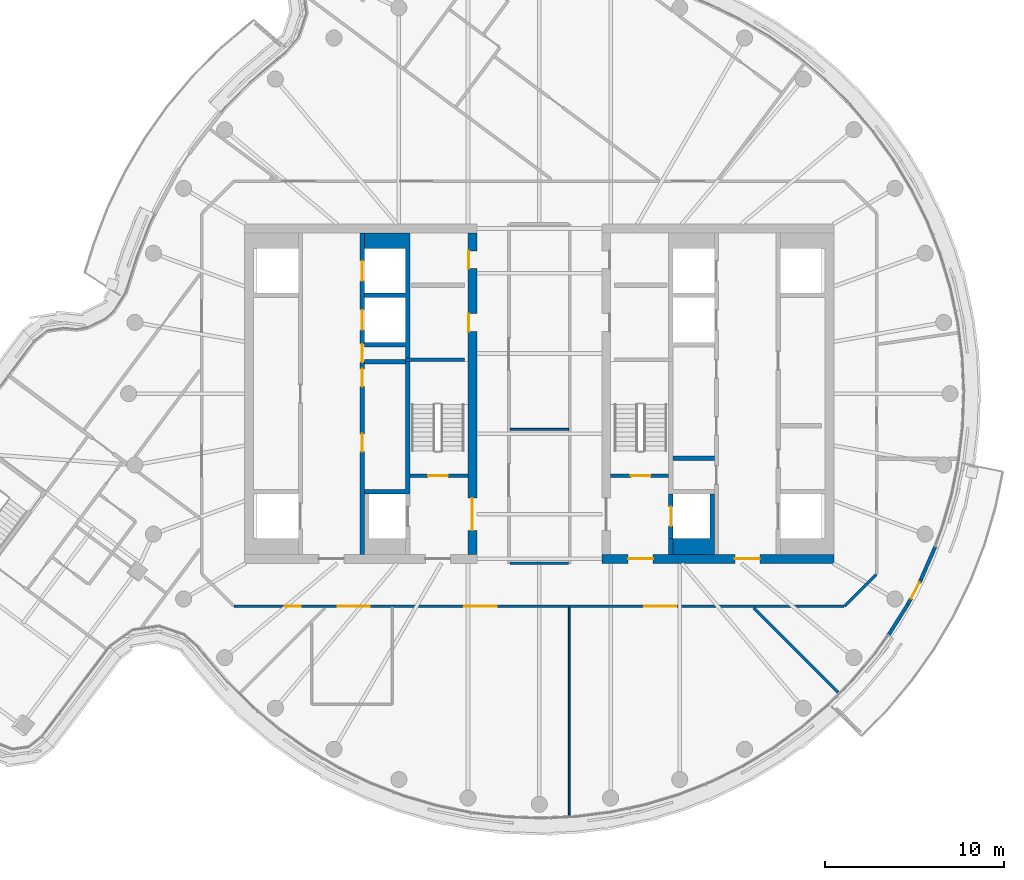
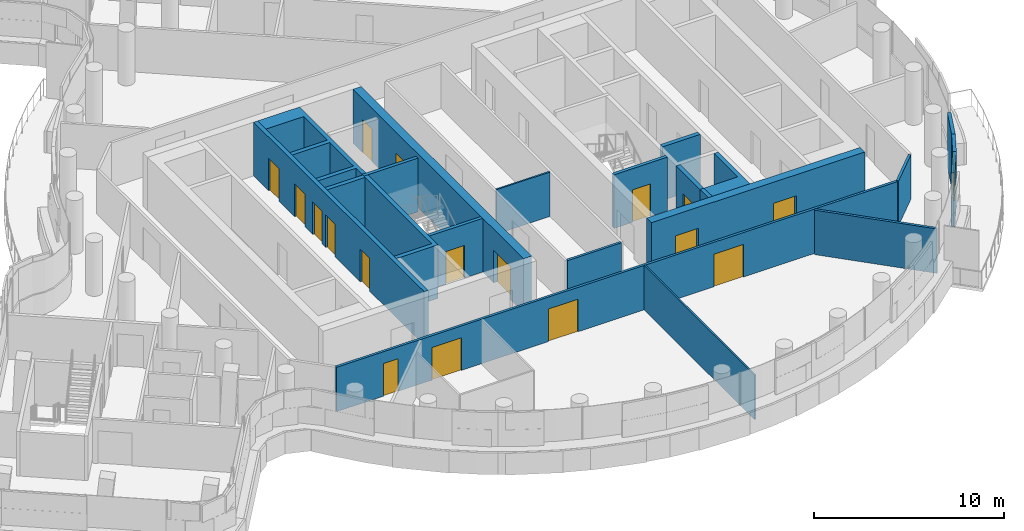
# One storey, part 18 of 27: 21 walls, 18 doors, 18 openings.
"""IFC4 building model written with IfcOpenShell, lengths in metres."""

from ifc_helpers import new_model, si_unit, direction, frame, frame_2d, origin, place, context, subcontext, project, spatial, polyline, rectangle, outline, extrude, material, layer, layer_set, type_object, element, fill, save


model = new_model("IFC4")

# Units and contexts
model_context = context("Model", 3, precision=1e-05, world=origin(), true_north=direction((0.0, 1.0)))
body_context = subcontext(model_context, "Body", "Model", "MODEL_VIEW")
ifc_project = project(units=[si_unit("LENGTHUNIT", "METRE"), si_unit("AREAUNIT", "SQUARE_METRE"), si_unit("VOLUMEUNIT", "CUBIC_METRE"), si_unit("PLANEANGLEUNIT", "RADIAN"), si_unit("MASSUNIT", "GRAM", prefix="KILO")], contexts=[model_context])

# Site, building, storey
site_placement = place(None, origin())
site = spatial("IfcSite", under=ifc_project, at=site_placement, CompositionType="ELEMENT")
building_placement = place(site_placement, origin())
building = spatial("IfcBuilding", under=site, at=building_placement, Name="Tamarind Cross Interchange Tower", CompositionType="ELEMENT")
storey_placement = place(building_placement, frame((0.0, 0.0, 227.10009765625)))
storey = spatial("IfcBuildingStorey", under=building, at=storey_placement, Name="L57", CompositionType="ELEMENT", Elevation=227.10009765625)

# Walls
ifc_material_1 = material(Name="Concrete C40", Category="concrete")
ifc_layer_1 = layer(ifc_material_1, 0.199951171875)
ifc_layer_set_1 = layer_set([ifc_layer_1], Name="Concrete C40")
wall_type_1 = type_object("IfcWallType", Name="Balcony and garden door wall", PredefinedType="SOLIDWALL", material=ifc_layer_set_1)
wall_1_placement = place(storey_placement, frame((19.571533203125, -13.501953125, 0.0), z_axis=(0.0, 0.0, 1.0), x_axis=(0.533079765086, 0.846064988081, 0.0)))
element("IfcWall", 1, at=wall_1_placement, inside=storey, type_object=wall_type_1, Name="EXW-L57-02-D11L", PredefinedType="SOLIDWALL", context=body_context, shape_type="SweptSolid", body=[
    extrude(rectangle(XDim=1.9921875, YDim=0.199951171875, at=frame_2d((0.99609375, 0.0))), origin(), (0.0, 0.0, 1.0), 3.4599609375),
])
wall_2_placement = place(storey_placement, frame((21.379150390625, -10.40234375, 0.0), z_axis=(0.0, 0.0, 1.0), x_axis=(0.399429605242, 0.916763868429, 0.0)))
element("IfcWall", 2, at=wall_2_placement, inside=storey, type_object=wall_type_1, Name="EXW-L57-02-D11R", PredefinedType="SOLIDWALL", context=body_context, shape_type="SweptSolid", body=[
    extrude(rectangle(XDim=1.991943359375, YDim=0.199951171875, at=frame_2d((0.99609375, 0.0))), origin(), (0.0, 0.0, 1.0), 3.4599609375),
])

# Wall, opening, door
wall_3_placement = place(storey_placement, frame((20.633544921875, -11.81640625, 0.0), z_axis=(0.0, 0.0, 1.0), x_axis=(0.4664135075, 0.884566809247, 0.0)))
wall_3 = element("IfcWall", 3, at=wall_3_placement, inside=storey, type_object=wall_type_1, Name="EXW-L57-02-D11", PredefinedType="SOLIDWALL", context=body_context, shape_type="SweptSolid", body=[
    extrude(rectangle(XDim=1.5986328125, YDim=0.199951171875, at=frame_2d((0.79931640625, 0.0))), origin(), (0.0, 0.0, 1.0), 3.4599609375),
])
opening_1_placement = place(wall_3_placement, frame((0.39990234375, 0.0, 0.0)))
opening_1 = element("IfcOpeningElement", 4, at=opening_1_placement, cuts=wall_3, Name="Opening D2", PredefinedType="OPENING", context=body_context, shape_type="SweptSolid", body=[
    extrude(rectangle(XDim=1.0, YDim=2.39990234375, at=frame_2d((0.5, 1.199951171875))), frame((0.0, 0.10986328125, 0.0), z_axis=(0.0, -1.0, 0.0), x_axis=(1.0, 0.0, 0.0)), (0.0, 0.0, 1.0), 0.219970703125),
])
ifc_material_2 = material(Name="Aluminium and toughened glass", Category="aluminium")
door_type_1 = type_object("IfcDoorType", Name="Balcony and garden door", OperationType="SINGLE_SWING_LEFT", PredefinedType="DOOR", material=ifc_material_2)
door_1_placement = place(opening_1_placement, origin())
door_1 = element("IfcDoor", 5, at=door_1_placement, inside=storey, type_object=door_type_1, Name="DOR-L57-02-11", OperationType="SINGLE_SWING_LEFT", OverallHeight=2.39990234375, OverallWidth=1.0, PredefinedType="DOOR", context=body_context, shape_type="SweptSolid", body=[
    extrude(rectangle(XDim=1.0, YDim=2.39990234375, at=frame_2d((0.5, 1.199951171875))), frame((0.0, 0.02490234375, 0.0), z_axis=(0.0, -1.0, 0.0), x_axis=(1.0, 0.0, 0.0)), (0.0, 0.0, 1.0), 0.050048828125),
])
fill(opening_1, door_1)

# Wall, openings, doors
ifc_material_3 = material(Name="Concrete C50", Category="concrete")
ifc_layer_2 = layer(ifc_material_3, 0.5)
ifc_layer_set_2 = layer_set([ifc_layer_2], Name="Concrete C50")
wall_type_2 = type_object("IfcWallType", Name="Core wall 500 mm Concrete C50", PredefinedType="SHEAR", material=ifc_layer_set_2)
wall_4_placement = place(storey_placement, frame((-3.75, -9.0, 0.0), z_axis=(0.0, 0.0, 1.0), x_axis=(0.0, 1.0, 0.0)))
wall_4 = element("IfcWall", 6, at=wall_4_placement, inside=storey, type_object=wall_type_2, Name="Core wall CWL-L57-W-IN", PredefinedType="SHEAR", context=body_context, shape_type="SweptSolid", body=[
    extrude(rectangle(XDim=18.0, YDim=0.5, at=frame_2d((9.0, 0.0))), origin(), (0.0, 0.0, 1.0), 3.4599609375),
])
opening_2_placement = place(wall_4_placement, frame((1.35009765625, 0.0, 0.0)))
opening_2 = element("IfcOpeningElement", 7, at=opening_2_placement, cuts=wall_4, Name="Opening DCW4", PredefinedType="OPENING", context=body_context, shape_type="SweptSolid", body=[
    extrude(rectangle(XDim=1.800048828125, YDim=2.10009765625, at=frame_2d((0.89990234375, 1.050048828125))), frame((0.0, 0.260009765625, 0.0), z_axis=(0.0, -1.0, 0.0), x_axis=(1.0, 0.0, 0.0)), (0.0, 0.0, 1.0), 0.52001953125),
])
opening_3_placement = place(wall_4_placement, frame((12.4775390625, 0.0, 0.0)))
opening_3 = element("IfcOpeningElement", 8, at=opening_3_placement, cuts=wall_4, Name="Opening DCW5", PredefinedType="OPENING", context=body_context, shape_type="SweptSolid", body=[
    extrude(rectangle(XDim=1.0, YDim=2.10009765625, at=frame_2d((0.5, 1.050048828125))), frame((0.0, 0.260009765625, 0.0), z_axis=(0.0, -1.0, 0.0), x_axis=(1.0, 0.0, 0.0)), (0.0, 0.0, 1.0), 0.52001953125),
])
opening_4_placement = place(wall_4_placement, frame((16.00244140625, 0.0, 0.0)))
opening_4 = element("IfcOpeningElement", 9, at=opening_4_placement, cuts=wall_4, Name="Opening DCW5", PredefinedType="OPENING", context=body_context, shape_type="SweptSolid", body=[
    extrude(rectangle(XDim=1.0, YDim=2.10009765625, at=frame_2d((0.5, 1.050048828125))), frame((0.0, 0.260009765625, 0.0), z_axis=(0.0, -1.0, 0.0), x_axis=(1.0, 0.0, 0.0)), (0.0, 0.0, 1.0), 0.52001953125),
])
ifc_material_4 = material(Name="Steel, fire-resisting", Category="steel")
door_type_2 = type_object("IfcDoorType", Name="Core fire door 1000 x 2100 FD90", OperationType="SINGLE_SWING_LEFT", PredefinedType="DOOR", material=ifc_material_4)
door_2_placement = place(opening_3_placement, origin())
door_2 = element("IfcDoor", 10, at=door_2_placement, inside=storey, type_object=door_type_2, Name="L57 housekeeping pantry door", OperationType="SINGLE_SWING_LEFT", OverallHeight=2.10009765625, OverallWidth=1.0, PredefinedType="DOOR", context=body_context, shape_type="SweptSolid", body=[
    extrude(rectangle(XDim=1.0, YDim=2.10009765625, at=frame_2d((0.5, 1.050048828125))), frame((0.0, 0.22509765625, 0.0), z_axis=(0.0, -1.0, 0.0), x_axis=(1.0, 0.0, 0.0)), (0.0, 0.0, 1.0), 0.050048828125),
])
fill(opening_3, door_2)
door_3_placement = place(opening_4_placement, origin())
door_3 = element("IfcDoor", 11, at=door_3_placement, inside=storey, type_object=door_type_2, Name="L57 linen press door", OperationType="SINGLE_SWING_LEFT", OverallHeight=2.10009765625, OverallWidth=1.0, PredefinedType="DOOR", context=body_context, shape_type="SweptSolid", body=[
    extrude(rectangle(XDim=1.0, YDim=2.10009765625, at=frame_2d((0.5, 1.050048828125))), frame((0.0, 0.22509765625, 0.0), z_axis=(0.0, -1.0, 0.0), x_axis=(1.0, 0.0, 0.0)), (0.0, 0.0, 1.0), 0.050048828125),
])
fill(opening_4, door_3)
door_type_3 = type_object("IfcDoorType", Name="Core fire door 1800 x 2100 FD90", OperationType="SINGLE_SWING_LEFT", PredefinedType="DOOR", material=ifc_material_4)
door_4_placement = place(opening_2_placement, origin())
door_4 = element("IfcDoor", 12, at=door_4_placement, inside=storey, type_object=door_type_3, Name="L57 firefighting lobby door", OperationType="SINGLE_SWING_LEFT", OverallHeight=2.10009765625, OverallWidth=1.800048828125, PredefinedType="DOOR", context=body_context, shape_type="SweptSolid", body=[
    extrude(rectangle(XDim=1.800048828125, YDim=2.10009765625, at=frame_2d((0.89990234375, 1.050048828125))), frame((0.0, 0.02490234375, 0.0), z_axis=(0.0, -1.0, 0.0), x_axis=(1.0, 0.0, 0.0)), (0.0, 0.0, 1.0), 0.050048828125),
])
fill(opening_2, door_4)

wall_5_placement = place(storey_placement, frame((16.5, -9.25, 0.0), z_axis=(0.0, 0.0, 1.0), x_axis=(-1.0, 0.0, 0.0)))
wall_5 = element("IfcWall", 13, at=wall_5_placement, inside=storey, type_object=wall_type_2, Name="Core wall CWL-L57-E-S", PredefinedType="SHEAR", context=body_context, shape_type="SweptSolid", body=[
    extrude(rectangle(XDim=13.0, YDim=0.5, at=frame_2d((6.5, 0.0))), origin(), (0.0, 0.0, 1.0), 3.4599609375),
])
opening_5_placement = place(wall_5_placement, frame((4.14990234375, 0.0, 0.0)))
opening_5 = element("IfcOpeningElement", 14, at=opening_5_placement, cuts=wall_5, Name="Opening DCE1", PredefinedType="OPENING", context=body_context, shape_type="SweptSolid", body=[
    extrude(rectangle(XDim=1.39990234375, YDim=2.10009765625, at=frame_2d((0.699951171875, 1.050048828125))), frame((0.0, 0.260009765625, 0.0), z_axis=(0.0, -1.0, 0.0), x_axis=(1.0, 0.0, 0.0)), (0.0, 0.0, 1.0), 0.52001953125),
])
opening_6_placement = place(wall_5_placement, frame((10.125, 0.0, 0.0)))
opening_6 = element("IfcOpeningElement", 15, at=opening_6_placement, cuts=wall_5, Name="Opening DCEF", PredefinedType="OPENING", context=body_context, shape_type="SweptSolid", body=[
    extrude(rectangle(XDim=1.39990234375, YDim=2.10009765625, at=frame_2d((0.699951171875, 1.050048828125))), frame((0.0, 0.260009765625, 0.0), z_axis=(0.0, -1.0, 0.0), x_axis=(1.0, 0.0, 0.0)), (0.0, 0.0, 1.0), 0.52001953125),
])
door_type_4 = type_object("IfcDoorType", Name="Core fire door 1400 x 2100 FD90", OperationType="SINGLE_SWING_LEFT", PredefinedType="DOOR", material=ifc_material_4)
door_5_placement = place(opening_5_placement, origin())
door_5 = element("IfcDoor", 16, at=door_5_placement, inside=storey, type_object=door_type_4, Name="L57 lift lobby door", OperationType="SINGLE_SWING_LEFT", OverallHeight=2.10009765625, OverallWidth=1.39990234375, PredefinedType="DOOR", context=body_context, shape_type="SweptSolid", body=[
    extrude(rectangle(XDim=1.39990234375, YDim=2.10009765625, at=frame_2d((0.699951171875, 1.050048828125))), frame((0.0, 0.02490234375, 0.0), z_axis=(0.0, -1.0, 0.0), x_axis=(1.0, 0.0, 0.0)), (0.0, 0.0, 1.0), 0.050048828125),
])
fill(opening_5, door_5)
door_6_placement = place(opening_6_placement, origin())
door_6 = element("IfcDoor", 17, at=door_6_placement, inside=storey, type_object=door_type_4, Name="L57 firefighting lobby end door", OperationType="SINGLE_SWING_LEFT", OverallHeight=2.10009765625, OverallWidth=1.39990234375, PredefinedType="DOOR", context=body_context, shape_type="SweptSolid", body=[
    extrude(rectangle(XDim=1.39990234375, YDim=2.10009765625, at=frame_2d((0.699951171875, 1.050048828125))), frame((0.0, 0.02490234375, 0.0), z_axis=(0.0, -1.0, 0.0), x_axis=(1.0, 0.0, 0.0)), (0.0, 0.0, 1.0), 0.050048828125),
])
fill(opening_6, door_6)

# Walls
ifc_layer_3 = layer(ifc_material_3, 0.199951171875)
ifc_layer_set_3 = layer_set([ifc_layer_3], Name="Concrete C50")
wall_type_3 = type_object("IfcWallType", Name="Core web wall 200 mm Concrete C50", PredefinedType="SHEAR", material=ifc_layer_set_3)
wall_6_placement = place(storey_placement, frame((-7.5, 1.89990234375, 0.0), z_axis=(0.0, 0.0, 1.0), x_axis=(1.0, 0.0, 0.0)))
element("IfcWall", 18, at=wall_6_placement, inside=storey, type_object=wall_type_3, Name="Core wall CWL-L57-W-BD", PredefinedType="SHEAR", context=body_context, shape_type="SweptSolid", body=[
    extrude(rectangle(XDim=3.300048828125, YDim=0.199951171875, at=frame_2d((1.64990234375, 0.0))), origin(), (0.0, 0.0, 1.0), 3.4599609375),
])
ifc_layer_4 = layer(ifc_material_3, 0.25)
ifc_layer_set_4 = layer_set([ifc_layer_4], Name="Concrete C50")
wall_type_4 = type_object("IfcWallType", Name="Core web wall 250 mm Concrete C50", PredefinedType="SHEAR", material=ifc_layer_set_4)
wall_7_placement = place(storey_placement, origin())
element("IfcWall", 19, at=wall_7_placement, inside=storey, type_object=wall_type_4, Name="Core wall CWL-L57-W-BN", PredefinedType="SHEAR", context=body_context, shape_type="SweptSolid", body=[
    extrude(outline(polyline([(-9.800048828125, -5.375), (-9.800048828125, -5.625), (-7.5, -5.625), (-7.25, -5.625), (-7.25, 9.0), (-7.5, 9.0), (-9.800048828125, 9.0), (-9.800048828125, 8.125), (-7.5, 8.125), (-7.5, 5.625), (-9.800048828125, 5.625), (-9.800048828125, 5.375), (-7.5, 5.375), (-7.5, 2.875), (-9.800048828125, 2.875), (-9.800048828125, 2.625), (-7.5, 2.625), (-7.5, -5.375), (-9.800048828125, -5.375)])), origin(), (0.0, 0.0, 1.0), 3.4599609375),
])

# Wall, openings, doors
wall_8_placement = place(storey_placement, frame((-9.925048828125, -9.0, 0.0), z_axis=(0.0, 0.0, 1.0), x_axis=(0.0, 1.0, 0.0)))
wall_8 = element("IfcWall", 20, at=wall_8_placement, inside=storey, type_object=wall_type_4, Name="Core wall CWL-L57-W-LB", PredefinedType="SHEAR", context=body_context, shape_type="SweptSolid", body=[
    extrude(rectangle(XDim=18.0, YDim=0.25, at=frame_2d((9.0, 0.0))), origin(), (0.0, 0.0, 1.0), 3.4599609375),
])
opening_7_placement = place(wall_8_placement, frame((12.574951171875, 0.0, 0.0)))
opening_7 = element("IfcOpeningElement", 21, at=opening_7_placement, cuts=wall_8, Name="Opening LD11L57", PredefinedType="OPENING", context=body_context, shape_type="SweptSolid", body=[
    extrude(rectangle(XDim=1.10009765625, YDim=2.10009765625, at=frame_2d((0.550048828125, 1.050048828125))), frame((0.0, 0.135009765625, 0.0), z_axis=(0.0, -1.0, 0.0), x_axis=(1.0, 0.0, 0.0)), (0.0, 0.0, 1.0), 0.27001953125),
])
opening_8_placement = place(wall_8_placement, frame((15.324951171875, 0.0, 0.0)))
opening_8 = element("IfcOpeningElement", 22, at=opening_8_placement, cuts=wall_8, Name="Opening LD12L57", PredefinedType="OPENING", context=body_context, shape_type="SweptSolid", body=[
    extrude(rectangle(XDim=1.10009765625, YDim=2.10009765625, at=frame_2d((0.550048828125, 1.050048828125))), frame((0.0, 0.135009765625, 0.0), z_axis=(0.0, -1.0, 0.0), x_axis=(1.0, 0.0, 0.0)), (0.0, 0.0, 1.0), 0.27001953125),
])
opening_9_placement = place(wall_8_placement, frame((5.75, 0.0, 0.0)))
opening_9 = element("IfcOpeningElement", 23, at=opening_9_placement, cuts=wall_8, Name="Opening DCW21", PredefinedType="OPENING", context=body_context, shape_type="SweptSolid", body=[
    extrude(rectangle(XDim=1.0, YDim=2.10009765625, at=frame_2d((0.5, 1.050048828125))), frame((0.0, 0.135009765625, 0.0), z_axis=(0.0, -1.0, 0.0), x_axis=(1.0, 0.0, 0.0)), (0.0, 0.0, 1.0), 0.27001953125),
])
opening_10_placement = place(wall_8_placement, frame((9.39599609375, 0.0, 0.0)))
opening_10 = element("IfcOpeningElement", 24, at=opening_10_placement, cuts=wall_8, Name="Opening DCW21", PredefinedType="OPENING", context=body_context, shape_type="SweptSolid", body=[
    extrude(rectangle(XDim=1.0, YDim=2.10009765625, at=frame_2d((0.5, 1.050048828125))), frame((0.0, 0.135009765625, 0.0), z_axis=(0.0, -1.0, 0.0), x_axis=(1.0, 0.0, 0.0)), (0.0, 0.0, 1.0), 0.27001953125),
])
opening_11_placement = place(wall_8_placement, frame((10.77099609375, 0.0, 0.0)))
opening_11 = element("IfcOpeningElement", 25, at=opening_11_placement, cuts=wall_8, Name="Opening DCW22", PredefinedType="OPENING", context=body_context, shape_type="SweptSolid", body=[
    extrude(rectangle(XDim=1.0, YDim=2.10009765625, at=frame_2d((0.5, 1.050048828125))), frame((0.0, 0.135009765625, 0.0), z_axis=(0.0, -1.0, 0.0), x_axis=(1.0, 0.0, 0.0)), (0.0, 0.0, 1.0), 0.27001953125),
])
door_7_placement = place(opening_9_placement, origin())
door_7 = element("IfcDoor", 26, at=door_7_placement, inside=storey, type_object=door_type_2, Name="L57 Housekeeping pantry door", OperationType="SINGLE_SWING_LEFT", OverallHeight=2.10009765625, OverallWidth=1.0, PredefinedType="DOOR", context=body_context, shape_type="SweptSolid", body=[
    extrude(rectangle(XDim=1.0, YDim=2.10009765625, at=frame_2d((0.5, 1.050048828125))), frame((0.0, 0.02490234375, 0.0), z_axis=(0.0, -1.0, 0.0), x_axis=(1.0, 0.0, 0.0)), (0.0, 0.0, 1.0), 0.050048828125),
])
fill(opening_9, door_7)
door_8_placement = place(opening_10_placement, origin())
door_8 = element("IfcDoor", 27, at=door_8_placement, inside=storey, type_object=door_type_2, Name="L57 Housekeeping pantry door", OperationType="SINGLE_SWING_LEFT", OverallHeight=2.10009765625, OverallWidth=1.0, PredefinedType="DOOR", context=body_context, shape_type="SweptSolid", body=[
    extrude(rectangle(XDim=1.0, YDim=2.10009765625, at=frame_2d((0.5, 1.050048828125))), frame((0.0, 0.02490234375, 0.0), z_axis=(0.0, -1.0, 0.0), x_axis=(1.0, 0.0, 0.0)), (0.0, 0.0, 1.0), 0.050048828125),
])
fill(opening_10, door_8)
door_9_placement = place(opening_11_placement, origin())
door_9 = element("IfcDoor", 28, at=door_9_placement, inside=storey, type_object=door_type_2, Name="L57 Linen press door", OperationType="SINGLE_SWING_LEFT", OverallHeight=2.10009765625, OverallWidth=1.0, PredefinedType="DOOR", context=body_context, shape_type="SweptSolid", body=[
    extrude(rectangle(XDim=1.0, YDim=2.10009765625, at=frame_2d((0.5, 1.050048828125))), frame((0.0, 0.02490234375, 0.0), z_axis=(0.0, -1.0, 0.0), x_axis=(1.0, 0.0, 0.0)), (0.0, 0.0, 1.0), 0.050048828125),
])
fill(opening_11, door_9)
ifc_material_5 = material(Name="Stainless steel panel", Category="steel")
door_type_5 = type_object("IfcDoorType", Name="Lift landing door 1100 x 2100 E 120", OperationType="SLIDING_TO_LEFT", PredefinedType="DOOR", material=ifc_material_5)
door_10_placement = place(opening_7_placement, origin())
door_10 = element("IfcDoor", 29, at=door_10_placement, inside=storey, type_object=door_type_5, Name="L57 landing door LF11", OperationType="SLIDING_TO_LEFT", OverallHeight=2.10009765625, OverallWidth=1.10009765625, PredefinedType="DOOR", context=body_context, shape_type="SweptSolid", body=[
    extrude(rectangle(XDim=1.10009765625, YDim=2.10009765625, at=frame_2d((0.550048828125, 1.050048828125))), frame((0.0, 0.02490234375, 0.0), z_axis=(0.0, -1.0, 0.0), x_axis=(1.0, 0.0, 0.0)), (0.0, 0.0, 1.0), 0.050048828125),
])
fill(opening_7, door_10)
door_11_placement = place(opening_8_placement, origin())
door_11 = element("IfcDoor", 30, at=door_11_placement, inside=storey, type_object=door_type_5, Name="L57 landing door LF12", OperationType="SLIDING_TO_LEFT", OverallHeight=2.10009765625, OverallWidth=1.10009765625, PredefinedType="DOOR", context=body_context, shape_type="SweptSolid", body=[
    extrude(rectangle(XDim=1.10009765625, YDim=2.10009765625, at=frame_2d((0.550048828125, 1.050048828125))), frame((0.0, 0.02490234375, 0.0), z_axis=(0.0, -1.0, 0.0), x_axis=(1.0, 0.0, 0.0)), (0.0, 0.0, 1.0), 0.050048828125),
])
fill(opening_8, door_11)

# Walls
wall_9_placement = place(storey_placement, origin())
element("IfcWall", 31, at=wall_9_placement, inside=storey, type_object=wall_type_4, Name="Core wall CWL-L57-E-BS", PredefinedType="SHEAR", context=body_context, shape_type="SweptSolid", body=[
    extrude(outline(polyline([(7.5, -8.125), (7.5, -9.0), (9.800048828125, -9.0), (9.800048828125, -8.125), (9.800048828125, -5.625), (9.550048828125, -5.625), (9.550048828125, -8.125), (7.5, -8.125)])), origin(), (0.0, 0.0, 1.0), 3.4599609375),
])
wall_10_placement = place(storey_placement, frame((7.375, -9.0, 0.0), z_axis=(0.0, 0.0, 1.0), x_axis=(0.0, 1.0, 0.0)))
element("IfcWall", 32, at=wall_10_placement, inside=storey, type_object=wall_type_4, Name="Core wall CWL-L57-E-BW", PredefinedType="SHEAR", context=body_context, shape_type="SweptSolid", body=[
    extrude(rectangle(XDim=0.875, YDim=0.25, at=frame_2d((0.4375, 0.0))), origin(), (0.0, 0.0, 1.0), 3.4599609375),
])

# Wall, opening, door
wall_11_placement = place(storey_placement, frame((7.375, -8.125, 0.0), z_axis=(0.0, 0.0, 1.0), x_axis=(0.0, 1.0, 0.0)))
wall_11 = element("IfcWall", 33, at=wall_11_placement, inside=storey, type_object=wall_type_4, Name="Core wall CWL-L57-E-FF", PredefinedType="SHEAR", context=body_context, shape_type="SweptSolid", body=[
    extrude(rectangle(XDim=2.5, YDim=0.25, at=frame_2d((1.25, 0.0))), origin(), (0.0, 0.0, 1.0), 3.4599609375),
])
opening_12_placement = place(wall_11_placement, frame((0.699951171875, 0.0, 0.0)))
opening_12 = element("IfcOpeningElement", 34, at=opening_12_placement, cuts=wall_11, Name="Opening LD19L57", PredefinedType="OPENING", context=body_context, shape_type="SweptSolid", body=[
    extrude(rectangle(XDim=1.10009765625, YDim=2.10009765625, at=frame_2d((0.550048828125, 1.050048828125))), frame((0.0, 0.135009765625, 0.0), z_axis=(0.0, -1.0, 0.0), x_axis=(1.0, 0.0, 0.0)), (0.0, 0.0, 1.0), 0.27001953125),
])
door_12_placement = place(opening_12_placement, origin())
door_12 = element("IfcDoor", 35, at=door_12_placement, inside=storey, type_object=door_type_5, Name="L57 landing door LF19", OperationType="SLIDING_TO_LEFT", OverallHeight=2.10009765625, OverallWidth=1.10009765625, PredefinedType="DOOR", context=body_context, shape_type="SweptSolid", body=[
    extrude(rectangle(XDim=1.10009765625, YDim=2.10009765625, at=frame_2d((0.550048828125, 1.050048828125))), frame((0.0, 0.02490234375, 0.0), z_axis=(0.0, -1.0, 0.0), x_axis=(1.0, 0.0, 0.0)), (0.0, 0.0, 1.0), 0.050048828125),
])
fill(opening_12, door_12)

# Walls
ifc_material_6 = material(Name="Gypsum board partition on steel studs", Category="steel")
ifc_layer_5 = layer(ifc_material_6, 0.10009765625)
ifc_layer_set_5 = layer_set([ifc_layer_5], Name="Gypsum board partition on steel studs")
wall_type_5 = type_object("IfcWallType", Name="Partition 100 mm EI 120", PredefinedType="PARTITIONING", material=ifc_layer_set_5)
wall_12_placement = place(storey_placement, frame((-1.639892578125, -2.0, 0.0), z_axis=(0.0, 0.0, 1.0), x_axis=(1.0, 0.0, 0.0)))
element("IfcWall", 36, at=wall_12_placement, inside=storey, type_object=wall_type_5, Name="Partition L57-030", PredefinedType="PARTITIONING", context=body_context, shape_type="SweptSolid", body=[
    extrude(rectangle(XDim=3.27978515625, YDim=0.10009765625, at=frame_2d((1.639892578125, 0.0))), origin(), (0.0, 0.0, 1.0), 2.864013671875),
])
ifc_layer_6 = layer(ifc_material_6, 0.10009765625)
ifc_layer_set_6 = layer_set([ifc_layer_6], Name="Gypsum board partition on steel studs")
wall_type_6 = type_object("IfcWallType", Name="Partition 100 mm EI 90", PredefinedType="PARTITIONING", material=ifc_layer_set_6)
wall_13_placement = place(storey_placement, frame((1.674072265625, -23.622802734375, 0.0), z_axis=(0.0, 0.0, 1.0), x_axis=(0.0, 1.0, 0.0)))
element("IfcWall", 37, at=wall_13_placement, inside=storey, type_object=wall_type_6, Name="Partition L57-062", PredefinedType="PARTITIONING", context=body_context, shape_type="SweptSolid", body=[
    extrude(rectangle(XDim=11.667724609375, YDim=0.10009765625, at=frame_2d((5.833984375, 0.0))), origin(), (0.0, 0.0, 1.0), 2.864013671875),
])
ifc_layer_7 = layer(ifc_material_6, 0.14990234375)
ifc_layer_set_7 = layer_set([ifc_layer_7], Name="Gypsum board partition on steel studs")
wall_type_7 = type_object("IfcWallType", Name="Partition 150 mm EI 120", PredefinedType="PARTITIONING", material=ifc_layer_set_7)
wall_14_placement = place(storey_placement, frame((12.009521484375, -12.009521484375, 0.0), z_axis=(0.0, 0.0, 1.0), x_axis=(0.707106781187, -0.707106781187, 0.0)))
element("IfcWall", 38, at=wall_14_placement, inside=storey, type_object=wall_type_7, Name="Partition L57-002", PredefinedType="PARTITIONING", context=body_context, shape_type="SweptSolid", body=[
    extrude(rectangle(XDim=6.690673828125, YDim=0.14990234375, at=frame_2d((3.34521484375, 0.0))), origin(), (0.0, 0.0, 1.0), 2.864013671875),
])

# Wall, openings, doors
wall_15_placement = place(storey_placement, frame((-17.10009765625, -11.89990234375, 0.0), z_axis=(0.0, 0.0, 1.0), x_axis=(1.0, 0.0, 0.0)))
wall_15 = element("IfcWall", 39, at=wall_15_placement, inside=storey, type_object=wall_type_7, Name="Partition L57-026", PredefinedType="PARTITIONING", context=body_context, shape_type="SweptSolid", body=[
    extrude(rectangle(XDim=34.1650390625, YDim=0.14990234375, at=frame_2d((17.08251953125, 0.0))), origin(), (0.0, 0.0, 1.0), 2.864013671875),
])
opening_13_placement = place(wall_15_placement, frame((5.800048828125, 0.0, 0.0)))
opening_13 = element("IfcOpeningElement", 40, at=opening_13_placement, cuts=wall_15, Name="Opening D15", PredefinedType="OPENING", context=body_context, shape_type="SweptSolid", body=[
    extrude(rectangle(XDim=1.800048828125, YDim=2.10009765625, at=frame_2d((0.89990234375, 1.050048828125))), frame((0.0, 0.0849609375, 0.0), z_axis=(0.0, -1.0, 0.0), x_axis=(1.0, 0.0, 0.0)), (0.0, 0.0, 1.0), 0.169921875),
])
opening_14_placement = place(wall_15_placement, frame((12.908935546875, 0.0, 0.0)))
opening_14 = element("IfcOpeningElement", 41, at=opening_14_placement, cuts=wall_15, Name="Opening D16", PredefinedType="OPENING", context=body_context, shape_type="SweptSolid", body=[
    extrude(rectangle(XDim=1.800048828125, YDim=2.10009765625, at=frame_2d((0.89990234375, 1.050048828125))), frame((0.0, 0.0849609375, 0.0), z_axis=(0.0, -1.0, 0.0), x_axis=(1.0, 0.0, 0.0)), (0.0, 0.0, 1.0), 0.169921875),
])
opening_15_placement = place(wall_15_placement, frame((22.97412109375, 0.0, 0.0)))
opening_15 = element("IfcOpeningElement", 42, at=opening_15_placement, cuts=wall_15, Name="Opening D17", PredefinedType="OPENING", context=body_context, shape_type="SweptSolid", body=[
    extrude(rectangle(XDim=1.800048828125, YDim=2.10009765625, at=frame_2d((0.89990234375, 1.050048828125))), frame((0.0, 0.0849609375, 0.0), z_axis=(0.0, -1.0, 0.0), x_axis=(1.0, 0.0, 0.0)), (0.0, 0.0, 1.0), 0.169921875),
])
opening_16_placement = place(wall_15_placement, frame((2.85009765625, 0.0, 0.0)))
opening_16 = element("IfcOpeningElement", 43, at=opening_16_placement, cuts=wall_15, Name="Opening D18", PredefinedType="OPENING", context=body_context, shape_type="SweptSolid", body=[
    extrude(rectangle(XDim=0.89990234375, YDim=2.10009765625, at=frame_2d((0.449951171875, 1.050048828125))), frame((0.0, 0.0849609375, 0.0), z_axis=(0.0, -1.0, 0.0), x_axis=(1.0, 0.0, 0.0)), (0.0, 0.0, 1.0), 0.169921875),
])
ifc_material_7 = material(Name="Fire-resisting door set")
door_type_6 = type_object("IfcDoorType", Name="Interior door 1800 x 2100 FD60S", OperationType="DOUBLE_DOOR_SINGLE_SWING", PredefinedType="DOOR", material=ifc_material_7)
door_13_placement = place(opening_13_placement, frame((1.800048828125, 0.0, 0.0), z_axis=(0.0, 0.0, 1.0), x_axis=(-1.0, 0.0, 0.0)))
door_13 = element("IfcDoor", 44, at=door_13_placement, inside=storey, type_object=door_type_6, Name="Door D15", OperationType="DOUBLE_DOOR_SINGLE_SWING", OverallHeight=2.10009765625, OverallWidth=1.800048828125, PredefinedType="DOOR", context=body_context, shape_type="SweptSolid", body=[
    extrude(rectangle(XDim=1.800048828125, YDim=2.10009765625, at=frame_2d((0.89990234375, 1.050048828125))), frame((0.0, 0.02490234375, 0.0), z_axis=(0.0, -1.0, 0.0), x_axis=(1.0, 0.0, 0.0)), (0.0, 0.0, 1.0), 0.050048828125),
])
fill(opening_13, door_13)
door_14_placement = place(opening_14_placement, frame((1.800048828125, 0.0, 0.0), z_axis=(0.0, 0.0, 1.0), x_axis=(-1.0, 0.0, 0.0)))
door_14 = element("IfcDoor", 45, at=door_14_placement, inside=storey, type_object=door_type_6, Name="Door D16", OperationType="DOUBLE_DOOR_SINGLE_SWING", OverallHeight=2.10009765625, OverallWidth=1.800048828125, PredefinedType="DOOR", context=body_context, shape_type="SweptSolid", body=[
    extrude(rectangle(XDim=1.800048828125, YDim=2.10009765625, at=frame_2d((0.89990234375, 1.050048828125))), frame((0.0, 0.02490234375, 0.0), z_axis=(0.0, -1.0, 0.0), x_axis=(1.0, 0.0, 0.0)), (0.0, 0.0, 1.0), 0.050048828125),
])
fill(opening_14, door_14)
door_15_placement = place(opening_15_placement, frame((1.800048828125, 0.0, 0.0), z_axis=(0.0, 0.0, 1.0), x_axis=(-1.0, 0.0, 0.0)))
door_15 = element("IfcDoor", 46, at=door_15_placement, inside=storey, type_object=door_type_6, Name="Door D17", OperationType="DOUBLE_DOOR_SINGLE_SWING", OverallHeight=2.10009765625, OverallWidth=1.800048828125, PredefinedType="DOOR", context=body_context, shape_type="SweptSolid", body=[
    extrude(rectangle(XDim=1.800048828125, YDim=2.10009765625, at=frame_2d((0.89990234375, 1.050048828125))), frame((0.0, 0.02490234375, 0.0), z_axis=(0.0, -1.0, 0.0), x_axis=(1.0, 0.0, 0.0)), (0.0, 0.0, 1.0), 0.050048828125),
])
fill(opening_15, door_15)
door_type_7 = type_object("IfcDoorType", Name="Interior door 900 x 2100 FD60S", OperationType="SINGLE_SWING_LEFT", PredefinedType="DOOR", material=ifc_material_7)
door_16_placement = place(opening_16_placement, frame((0.89990234375, 0.0, 0.0), z_axis=(0.0, 0.0, 1.0), x_axis=(-1.0, 0.0, 0.0)))
door_16 = element("IfcDoor", 47, at=door_16_placement, inside=storey, type_object=door_type_7, Name="Door D18", OperationType="SINGLE_SWING_LEFT", OverallHeight=2.10009765625, OverallWidth=0.89990234375, PredefinedType="DOOR", context=body_context, shape_type="SweptSolid", body=[
    extrude(rectangle(XDim=0.89990234375, YDim=2.10009765625, at=frame_2d((0.449951171875, 1.050048828125))), frame((0.0, 0.02490234375, 0.0), z_axis=(0.0, -1.0, 0.0), x_axis=(1.0, 0.0, 0.0)), (0.0, 0.0, 1.0), 0.050048828125),
])
fill(opening_16, door_16)

# Walls
wall_16_placement = place(storey_placement, frame((-1.639892578125, -9.5, 0.0), z_axis=(0.0, 0.0, 1.0), x_axis=(1.0, 0.0, 0.0)))
element("IfcWall", 48, at=wall_16_placement, inside=storey, type_object=wall_type_7, Name="Partition L57-029", PredefinedType="PARTITIONING", context=body_context, shape_type="SweptSolid", body=[
    extrude(rectangle(XDim=3.27978515625, YDim=0.14990234375, at=frame_2d((1.639892578125, 0.0))), origin(), (0.0, 0.0, 1.0), 2.864013671875),
])
wall_17_placement = place(storey_placement, frame((17.10009765625, -11.89990234375, 0.0), z_axis=(0.0, 0.0, 1.0), x_axis=(0.707106781187, 0.707106781187, 0.0)))
element("IfcWall", 49, at=wall_17_placement, inside=storey, type_object=wall_type_7, Name="Partition L57-037", PredefinedType="PARTITIONING", context=body_context, shape_type="SweptSolid", body=[
    extrude(rectangle(XDim=2.50537109375, YDim=0.14990234375, at=frame_2d((1.252685546875, 0.0))), origin(), (0.0, 0.0, 1.0), 2.864013671875),
])
ifc_layer_8 = layer(ifc_material_1, 0.25)
ifc_layer_set_8 = layer_set([ifc_layer_8], Name="Concrete C40")
wall_type_8 = type_object("IfcWallType", Name="Shaft and lobby wall 250 mm Concrete C40", PredefinedType="PARTITIONING", material=ifc_layer_set_8)
for number, where, z_axis, x_axis, name in (
    (50, (-9.800048828125, 1.7919921875, 0.0), (0.0, 0.0, 1.0), (1.0, 0.0, 0.0), "Shaft wall CWL-L57-W-FPB3"),
    (51, (9.800048828125, -3.625, 0.0), (0.0, 0.0, 1.0), (-1.0, 0.0, 0.0), "Shaft wall CWL-L57-E-FPB1"),
):
    element("IfcWall", number, at=place(storey_placement, frame(where, z_axis=z_axis, x_axis=x_axis)), inside=storey, type_object=wall_type_8, Name=name, PredefinedType="PARTITIONING", context=body_context, shape_type="SweptSolid", body=[
        extrude(rectangle(XDim=2.300048828125, YDim=0.25, at=frame_2d((1.14990234375, 0.0))), origin(), (0.0, 0.0, 1.0), 3.4599609375),
    ])

# Wall, opening, door
ifc_layer_9 = layer(ifc_material_1, 0.199951171875)
ifc_layer_set_9 = layer_set([ifc_layer_9], Name="Concrete C40")
wall_type_9 = type_object("IfcWallType", Name="Stair shaft wall 200 mm Concrete C40", PredefinedType="SHEAR", material=ifc_layer_set_9)
wall_18_placement = place(storey_placement, frame((-7.25, -4.60009765625, 0.0), z_axis=(0.0, 0.0, 1.0), x_axis=(1.0, 0.0, 0.0)))
wall_18 = element("IfcWall", 52, at=wall_18_placement, inside=storey, type_object=wall_type_9, Name="Core wall CWL-L57-W-SD", PredefinedType="SHEAR", context=body_context, shape_type="SweptSolid", body=[
    extrude(rectangle(XDim=3.25, YDim=0.199951171875, at=frame_2d((1.625, 0.0))), origin(), (0.0, 0.0, 1.0), 3.4599609375),
])
opening_17_placement = place(wall_18_placement, frame((1.02490234375, 0.0, 0.0)))
opening_17 = element("IfcOpeningElement", 53, at=opening_17_placement, cuts=wall_18, Name="Opening DCW6", PredefinedType="OPENING", context=body_context, shape_type="SweptSolid", body=[
    extrude(rectangle(XDim=1.10009765625, YDim=2.10009765625, at=frame_2d((0.550048828125, 1.050048828125))), frame((0.0, 0.10986328125, 0.0), z_axis=(0.0, -1.0, 0.0), x_axis=(1.0, 0.0, 0.0)), (0.0, 0.0, 1.0), 0.219970703125),
])
door_type_8 = type_object("IfcDoorType", Name="Core fire door 1100 x 2100 FD90", OperationType="SINGLE_SWING_LEFT", PredefinedType="DOOR", material=ifc_material_4)
door_17_placement = place(opening_17_placement, origin())
door_17 = element("IfcDoor", 54, at=door_17_placement, inside=storey, type_object=door_type_8, Name="L57 stair door", OperationType="SINGLE_SWING_LEFT", OverallHeight=2.10009765625, OverallWidth=1.10009765625, PredefinedType="DOOR", context=body_context, shape_type="SweptSolid", body=[
    extrude(rectangle(XDim=1.10009765625, YDim=2.10009765625, at=frame_2d((0.550048828125, 1.050048828125))), frame((0.0, 0.02490234375, 0.0), z_axis=(0.0, -1.0, 0.0), x_axis=(1.0, 0.0, 0.0)), (0.0, 0.0, 1.0), 0.050048828125),
])
fill(opening_17, door_17)

wall_19_placement = place(storey_placement, frame((7.25, -4.60009765625, 0.0), z_axis=(0.0, 0.0, 1.0), x_axis=(-1.0, 0.0, 0.0)))
wall_19 = element("IfcWall", 55, at=wall_19_placement, inside=storey, type_object=wall_type_9, Name="Core wall CWL-L57-E-SD", PredefinedType="SHEAR", context=body_context, shape_type="SweptSolid", body=[
    extrude(rectangle(XDim=3.25, YDim=0.199951171875, at=frame_2d((1.625, 0.0))), origin(), (0.0, 0.0, 1.0), 3.4599609375),
])
opening_18_placement = place(wall_19_placement, frame((1.02490234375, 0.0, 0.0)))
opening_18 = element("IfcOpeningElement", 56, at=opening_18_placement, cuts=wall_19, Name="Opening DCE6", PredefinedType="OPENING", context=body_context, shape_type="SweptSolid", body=[
    extrude(rectangle(XDim=1.10009765625, YDim=2.10009765625, at=frame_2d((0.550048828125, 1.050048828125))), frame((0.0, 0.10986328125, 0.0), z_axis=(0.0, -1.0, 0.0), x_axis=(1.0, 0.0, 0.0)), (0.0, 0.0, 1.0), 0.219970703125),
])
door_18_placement = place(opening_18_placement, origin())
door_18 = element("IfcDoor", 57, at=door_18_placement, inside=storey, type_object=door_type_8, Name="L57 stair door", OperationType="SINGLE_SWING_LEFT", OverallHeight=2.10009765625, OverallWidth=1.10009765625, PredefinedType="DOOR", context=body_context, shape_type="SweptSolid", body=[
    extrude(rectangle(XDim=1.10009765625, YDim=2.10009765625, at=frame_2d((0.550048828125, 1.050048828125))), frame((0.0, 0.02490234375, 0.0), z_axis=(0.0, -1.0, 0.0), x_axis=(1.0, 0.0, 0.0)), (0.0, 0.0, 1.0), 0.050048828125),
])
fill(opening_18, door_18)

save(model, "model.ifc")
